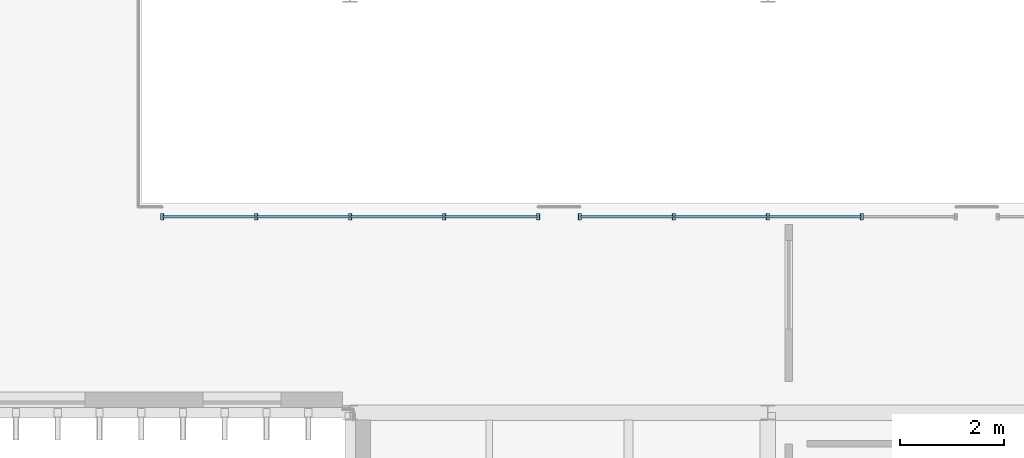
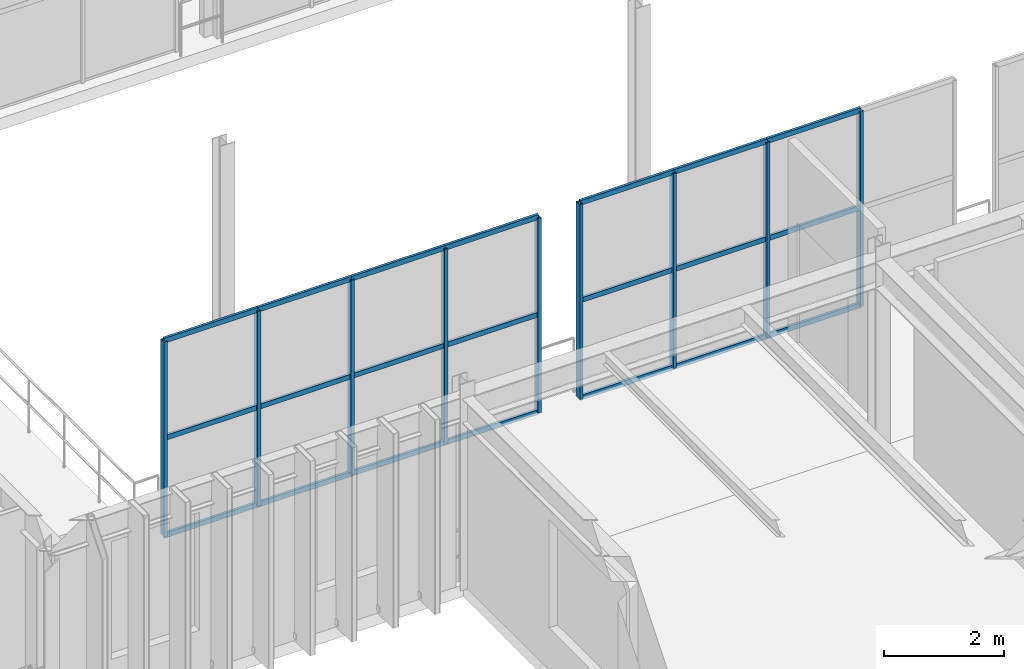
# One storey, part 42 of 122: 30 members, 2 elements without a shape of their own.
"""IFC4 building model written with IfcOpenShell, lengths in metres."""

import ifcopenshell
import ifcopenshell.guid

model = None  # the IFC model being written
_history = None  # IfcOwnerHistory: only IFC2X3 demands one
_inside = {}  # id of a spatial element -> (the spatial element, [elements in it])
_under = {}  # id of a project, library or spatial element -> (it, [spatial elements below it])
_declared = {}  # id of a project -> (the project, [libraries it declares])
_typed = {}  # id of a type object -> (the type object, [elements of that type])
_made_of = {}  # id of a material, layer set ... -> (it, [elements and type objects made of it])


def new_model(schema):
    """Start an empty IFC model of exactly this schema.

    Asked for "IFC4X3", IfcOpenShell would pick the latest addendum, in which some entities
    have other attributes; the version numbers below select the first issue.
    IFC2X3 requires an IfcOwnerHistory on every rooted entity: one is made here for all.
    """
    global model, _history
    if schema == "IFC4X3":
        model = ifcopenshell.file(schema_version=(4, 3, 0, 0))
    else:
        model = ifcopenshell.file(schema=schema)
    _inside.clear()
    _under.clear()
    _declared.clear()
    _typed.clear()
    _made_of.clear()
    _history = None
    if model.schema == "IFC2X3":
        org = make("IfcOrganization", Name="unknown")
        user = make(
            "IfcPersonAndOrganization",
            ThePerson=make("IfcPerson", FamilyName="unknown"),
            TheOrganization=org,
        )
        app = make(
            "IfcApplication",
            ApplicationDeveloper=org,
            Version="unknown",
            ApplicationFullName="unknown",
            ApplicationIdentifier="unknown",
        )
        _history = make(
            "IfcOwnerHistory",
            OwningUser=user,
            OwningApplication=app,
            ChangeAction="ADDED",
            CreationDate=0,
        )
    return model


def make(cls, **values):
    """One entity of the class cls with the attributes given. An attribute that is None is left unset."""
    return model.create_entity(
        cls, **{name: value for name, value in values.items() if value is not None}
    )


def rooted(cls, **values):
    """An entity with a GlobalId (a new one), such as an element, a storey or a relation."""
    return make(cls, GlobalId=ifcopenshell.guid.new(), OwnerHistory=_history, **values)


def si_unit(unit_type, name, prefix=None):
    """IfcSIUnit, for example si_unit("LENGTHUNIT", "METRE", prefix="MILLI")."""
    return make("IfcSIUnit", UnitType=unit_type, Prefix=prefix, Name=name)


def assignment(units):
    """IfcUnitAssignment: the units of a project."""
    return None if units is None else make("IfcUnitAssignment", Units=units)


def point(xyz):
    """IfcCartesianPoint."""
    return None if xyz is None else make("IfcCartesianPoint", Coordinates=xyz)


def direction(xyz):
    """IfcDirection."""
    return None if xyz is None else make("IfcDirection", DirectionRatios=xyz)


def frame(location, z_axis=None, x_axis=None):
    """IfcAxis2Placement3D, a coordinate frame: its origin and axes. An axis left out is left unset."""
    return make(
        "IfcAxis2Placement3D",
        Location=point(location),
        Axis=direction(z_axis),
        RefDirection=direction(x_axis),
    )


def frame_2d(location, x_axis=None):
    """IfcAxis2Placement2D, a coordinate frame in the plane: its origin and x axis."""
    return make(
        "IfcAxis2Placement2D", Location=point(location), RefDirection=direction(x_axis)
    )


def origin():
    """The frame at (0, 0, 0) with its axes left unset."""
    return frame((0.0, 0.0, 0.0))


def origin_2d():
    """The frame at (0, 0) in the plane with its x axis left unset."""
    return frame_2d((0.0, 0.0))


def place(relative_to, where):
    """IfcLocalPlacement: puts the frame where relative to a parent placement (None: the world)."""
    return make(
        "IfcLocalPlacement", PlacementRelTo=relative_to, RelativePlacement=where
    )


def context(
    kind, dimensions, precision=None, world=None, true_north=None, identifier=None
):
    """IfcGeometricRepresentationContext, for example the 3D "Model" context."""
    return make(
        "IfcGeometricRepresentationContext",
        ContextIdentifier=identifier,
        ContextType=kind,
        CoordinateSpaceDimension=dimensions,
        Precision=precision,
        WorldCoordinateSystem=world,
        TrueNorth=true_north,
    )


def subcontext(parent, identifier, kind, view, scale=None):
    """IfcGeometricRepresentationSubContext, for example "Body" below "Model"."""
    return make(
        "IfcGeometricRepresentationSubContext",
        ContextIdentifier=identifier,
        ContextType=kind,
        ParentContext=parent,
        TargetScale=scale,
        TargetView=view,
    )


def project(units=None, contexts=None):
    """IfcProject with its units and contexts."""
    return rooted(
        "IfcProject",
        Name="project",
        RepresentationContexts=contexts,
        UnitsInContext=assignment(units),
    )


def spatial(cls, under=None, at=None, **own):
    """A site, building, storey or space (cls), placed at a placement, below another one or the project."""
    s = rooted(cls, ObjectPlacement=at, **own)
    if under is not None:
        _under.setdefault(under.id(), (under, []))[1].append(s)
    return s


def profile(cls, at=None, kind="AREA", **sizes):
    """A parametric profile (cls). Its sizes go by their IFC names, for example OverallWidth=200.0."""
    return make(cls, ProfileType=kind, Position=at, **sizes)


def hollow_rectangle(**sizes):
    """IfcRectangleHollowProfileDef."""
    return profile("IfcRectangleHollowProfileDef", **sizes)


def extrude(swept, where, along, depth):
    """IfcExtrudedAreaSolid: the profile swept, set in the frame where, extruded along a direction by depth."""
    return make(
        "IfcExtrudedAreaSolid",
        SweptArea=swept,
        Position=where,
        ExtrudedDirection=direction(along),
        Depth=depth,
    )


def shape(context_of_items, identifier, shape_type, items):
    """IfcShapeRepresentation: the items that make up one representation, for example the "Body"."""
    return make(
        "IfcShapeRepresentation",
        ContextOfItems=context_of_items,
        RepresentationIdentifier=identifier,
        RepresentationType=shape_type,
        Items=items,
    )


def material(Name=None, Category=None):
    """IfcMaterial."""
    return make("IfcMaterial", Name=Name, Category=Category)


def material_profile(
    of_material, cross_section, Name=None, Category=None, Priority=None
):
    """IfcMaterialProfile: a cross section and its material."""
    return make(
        "IfcMaterialProfile",
        Name=Name,
        Material=of_material,
        Profile=cross_section,
        Priority=Priority,
        Category=Category,
    )


def profile_set(profiles, Name=None, composite=None):
    """IfcMaterialProfileSet."""
    return make(
        "IfcMaterialProfileSet",
        Name=Name,
        MaterialProfiles=profiles,
        CompositeProfile=composite,
    )


def made_of(thing, what):
    """Note that an element or type object is made of a material, layer set ...; save() writes the relation."""
    if what is not None:
        _made_of.setdefault(what.id(), (what, []))[1].append(thing)
    return thing


def type_object(cls, material=None, **own):
    """A type object (cls), such as IfcWallType, which elements share."""
    return made_of(rooted(cls, **own), material)


def element(
    cls,
    number,
    at=None,
    inside=None,
    cuts=None,
    type_object=None,
    material=None,
    context=None,
    identifier="Body",
    shape_type=None,
    held_by="IfcProductDefinitionShape",
    body=None,
    shapes=None,
    **own,
):
    """One element of the class cls, such as IfcWall. Its Tag is "e" and its number.

    at: its placement. inside: the storey or other place that contains it. cuts: it is an
    opening in that element (IfcRelVoidsElement). A single representation is given by context,
    identifier, shape_type and body (its items); several are given by shapes. held_by: the class
    of the entity that holds the representations. save() writes the other relations.
    """
    e = rooted(cls, Tag="e%d" % number, ObjectPlacement=at, **own)
    if body is not None:
        shapes = [shape(context, identifier, shape_type, body)]
    if shapes is not None:
        e.Representation = make(held_by, Representations=shapes)
    if inside is not None:
        _inside.setdefault(inside.id(), (inside, []))[1].append(e)
    if cuts is not None:
        rooted(
            "IfcRelVoidsElement", RelatingBuildingElement=cuts, RelatedOpeningElement=e
        )
    if type_object is not None:
        _typed.setdefault(type_object.id(), (type_object, []))[1].append(e)
    return made_of(e, material)


def aggregate(whole, parts):
    """IfcRelAggregates: a whole, such as a stair, and the parts it consists of."""
    return rooted("IfcRelAggregates", RelatingObject=whole, RelatedObjects=parts)


def save(model, path):
    """Write the relations noted so far, then the file.

    IfcRelAggregates (storeys below a building ...), IfcRelContainedInSpatialStructure (elements
    in a storey), IfcRelDefinesByType, IfcRelAssociatesMaterial and IfcRelDeclares: one each for
    every whole, place, type object, material and project.
    """
    for whole, parts in _under.values():
        aggregate(whole, parts)
    for where, things in _inside.values():
        rooted(
            "IfcRelContainedInSpatialStructure",
            RelatedElements=things,
            RelatingStructure=where,
        )
    for kind, things in _typed.values():
        rooted("IfcRelDefinesByType", RelatedObjects=things, RelatingType=kind)
    for what, things in _made_of.values():
        rooted("IfcRelAssociatesMaterial", RelatedObjects=things, RelatingMaterial=what)
    for by, libraries in _declared.values():
        rooted("IfcRelDeclares", RelatingContext=by, RelatedDefinitions=libraries)
    model.write(path)


model = new_model("IFC4")

# Units and contexts
model_context = context("Model", 3, precision=1e-05, world=origin(), true_north=direction((0.0, 1.0)))
body_context = subcontext(model_context, "Body", "Model", "MODEL_VIEW")
ifc_project = project(units=[si_unit("LENGTHUNIT", "METRE"), si_unit("AREAUNIT", "SQUARE_METRE"), si_unit("VOLUMEUNIT", "CUBIC_METRE"), si_unit("PLANEANGLEUNIT", "RADIAN"), si_unit("MASSUNIT", "GRAM", prefix="KILO")], contexts=[model_context])

# Site, building, storey
site_placement = place(None, origin())
site = spatial("IfcSite", under=ifc_project, at=site_placement, CompositionType="ELEMENT")
building_placement = place(site_placement, origin())
building = spatial("IfcBuilding", under=site, at=building_placement, Name="Sundkrona Museum", CompositionType="ELEMENT")
storey_placement = place(building_placement, frame((0.0, 0.0, 5.39990234375)))
storey = spatial("IfcBuildingStorey", under=building, at=storey_placement, Name="L01", CompositionType="ELEMENT", Elevation=5.39990234375)

# Curtain wall, members
ifc_material_1 = material(Name="Unitised Aluminium-Steel and Ceramic-Clad Curtain Walling", Category="steel")
curtain_wall_type = type_object("IfcCurtainWallType", Name="CW-CL-64x38", PredefinedType="NOTDEFINED", material=ifc_material_1)
curtain_wall_1_placement = place(storey_placement, origin())
curtain_wall_1 = element("IfcCurtainWall", 1, at=curtain_wall_1_placement, inside=storey, type_object=curtain_wall_type, Name="L01 Curtain Wall CW-L01-124", PredefinedType="NOTDEFINED")
ifc_material_2 = material(Name="Aluminium EN AW-6060 T66", Category="aluminium")
ifc_material_profile_1 = material_profile(ifc_material_2, hollow_rectangle(XDim=0.06005859375, YDim=0.1201171875, WallThickness=0.0048828125, at=origin_2d()), Name="RHS 120x60x5.0")
ifc_profile_set_1 = profile_set([ifc_material_profile_1], Name="Aluminium EN AW-6060 T66")
member_type_1 = type_object("IfcMemberType", Name="ML-120", PredefinedType="MULLION", material=ifc_profile_set_1)
member_1_placement = place(storey_placement, frame((20.39990234375, 81.75, -0.00390625), z_axis=(0.0, 0.0, 1.0), x_axis=(1.0, 0.0, 0.0)))
member_1 = element("IfcMember", 2, at=member_1_placement, type_object=member_type_1, Name="CW-L01-124 Mullion 01", PredefinedType="MULLION", context=body_context, shape_type="SweptSolid", body=[
    extrude(hollow_rectangle(XDim=0.06005859375, YDim=0.1201171875, WallThickness=0.0048828125, at=origin_2d()), origin(), (0.0, 0.0, 1.0), 3.968017578125),
])
member_2_placement = place(storey_placement, frame((22.199951171875, 81.75, -0.00390625), z_axis=(0.0, 0.0, 1.0), x_axis=(1.0, 0.0, 0.0)))
member_2 = element("IfcMember", 3, at=member_2_placement, type_object=member_type_1, Name="CW-L01-124 Mullion 02", PredefinedType="MULLION", context=body_context, shape_type="SweptSolid", body=[
    extrude(hollow_rectangle(XDim=0.06005859375, YDim=0.1201171875, WallThickness=0.0048828125, at=origin_2d()), origin(), (0.0, 0.0, 1.0), 3.968017578125),
])
member_3_placement = place(storey_placement, frame((24.0, 81.75, -0.00390625), z_axis=(0.0, 0.0, 1.0), x_axis=(1.0, 0.0, 0.0)))
member_3 = element("IfcMember", 4, at=member_3_placement, type_object=member_type_1, Name="CW-L01-124 Mullion 03", PredefinedType="MULLION", context=body_context, shape_type="SweptSolid", body=[
    extrude(hollow_rectangle(XDim=0.06005859375, YDim=0.1201171875, WallThickness=0.0048828125, at=origin_2d()), origin(), (0.0, 0.0, 1.0), 3.968017578125),
])
member_4_placement = place(storey_placement, frame((25.800048828125, 81.75, -0.00390625), z_axis=(0.0, 0.0, 1.0), x_axis=(1.0, 0.0, 0.0)))
member_4 = element("IfcMember", 5, at=member_4_placement, type_object=member_type_1, Name="CW-L01-124 Mullion 04", PredefinedType="MULLION", context=body_context, shape_type="SweptSolid", body=[
    extrude(hollow_rectangle(XDim=0.06005859375, YDim=0.1201171875, WallThickness=0.0048828125, at=origin_2d()), origin(), (0.0, 0.0, 1.0), 3.968017578125),
])
member_5_placement = place(storey_placement, frame((27.60009765625, 81.75, -0.00390625), z_axis=(0.0, 0.0, 1.0), x_axis=(1.0, 0.0, 0.0)))
member_5 = element("IfcMember", 6, at=member_5_placement, type_object=member_type_1, Name="CW-L01-124 Mullion 05", PredefinedType="MULLION", context=body_context, shape_type="SweptSolid", body=[
    extrude(hollow_rectangle(XDim=0.06005859375, YDim=0.1201171875, WallThickness=0.0048828125, at=origin_2d()), origin(), (0.0, 0.0, 1.0), 3.968017578125),
])

curtain_wall_2_placement = place(storey_placement, origin())
curtain_wall_2 = element("IfcCurtainWall", 7, at=curtain_wall_2_placement, inside=storey, type_object=curtain_wall_type, Name="L01 Curtain Wall CW-L01-126", PredefinedType="NOTDEFINED")
member_6_placement = place(storey_placement, frame((28.39990234375, 81.75, -0.00390625), z_axis=(0.0, 0.0, 1.0), x_axis=(1.0, 0.0, 0.0)))
member_6 = element("IfcMember", 8, at=member_6_placement, type_object=member_type_1, Name="CW-L01-126 Mullion 01", PredefinedType="MULLION", context=body_context, shape_type="SweptSolid", body=[
    extrude(hollow_rectangle(XDim=0.06005859375, YDim=0.1201171875, WallThickness=0.0048828125, at=origin_2d()), origin(), (0.0, 0.0, 1.0), 3.968017578125),
])
member_7_placement = place(storey_placement, frame((30.199951171875, 81.75, -0.00390625), z_axis=(0.0, 0.0, 1.0), x_axis=(1.0, 0.0, 0.0)))
member_7 = element("IfcMember", 9, at=member_7_placement, type_object=member_type_1, Name="CW-L01-126 Mullion 02", PredefinedType="MULLION", context=body_context, shape_type="SweptSolid", body=[
    extrude(hollow_rectangle(XDim=0.06005859375, YDim=0.1201171875, WallThickness=0.0048828125, at=origin_2d()), origin(), (0.0, 0.0, 1.0), 3.968017578125),
])
member_8_placement = place(storey_placement, frame((32.0, 81.75, -0.00390625), z_axis=(0.0, 0.0, 1.0), x_axis=(1.0, 0.0, 0.0)))
member_8 = element("IfcMember", 10, at=member_8_placement, type_object=member_type_1, Name="CW-L01-126 Mullion 03", PredefinedType="MULLION", context=body_context, shape_type="SweptSolid", body=[
    extrude(hollow_rectangle(XDim=0.06005859375, YDim=0.1201171875, WallThickness=0.0048828125, at=origin_2d()), origin(), (0.0, 0.0, 1.0), 3.968017578125),
])
member_9_placement = place(storey_placement, frame((33.800048828125, 81.75, -0.00390625), z_axis=(0.0, 0.0, 1.0), x_axis=(1.0, 0.0, 0.0)))
member_9 = element("IfcMember", 11, at=member_9_placement, type_object=member_type_1, Name="CW-L01-126 Mullion 04", PredefinedType="MULLION", context=body_context, shape_type="SweptSolid", body=[
    extrude(hollow_rectangle(XDim=0.06005859375, YDim=0.1201171875, WallThickness=0.0048828125, at=origin_2d()), origin(), (0.0, 0.0, 1.0), 3.968017578125),
])

# Member
ifc_material_profile_2 = material_profile(ifc_material_2, hollow_rectangle(XDim=0.050048828125, YDim=0.10009765625, WallThickness=0.0048828125, at=origin_2d()), Name="RHS 100x50x5.0")
ifc_profile_set_2 = profile_set([ifc_material_profile_2], Name="Aluminium EN AW-6060 T66")
member_type_2 = type_object("IfcMemberType", Name="TR-100", PredefinedType="USERDEFINED", material=ifc_profile_set_2)
member_10_placement = place(storey_placement, frame((20.39990234375, 81.75, -0.00390625), z_axis=(1.0, 0.0, 0.0), x_axis=(0.0, 1.0, 0.0)))
member_10 = element("IfcMember", 12, at=member_10_placement, type_object=member_type_2, Name="CW-L01-124 Transom 01", ObjectType="TRANSOM", PredefinedType="USERDEFINED", context=body_context, shape_type="SweptSolid", body=[
    extrude(hollow_rectangle(XDim=0.050048828125, YDim=0.10009765625, WallThickness=0.0048828125, at=origin_2d()), origin(), (0.0, 0.0, 1.0), 1.800048828125),
])

member_11_placement = place(storey_placement, frame((20.39990234375, 81.75, 1.97998046875), z_axis=(1.0, 0.0, 0.0), x_axis=(0.0, 1.0, 0.0)))
member_11 = element("IfcMember", 13, at=member_11_placement, type_object=member_type_2, Name="CW-L01-124 Transom 02", ObjectType="TRANSOM", PredefinedType="USERDEFINED", context=body_context, shape_type="SweptSolid", body=[
    extrude(hollow_rectangle(XDim=0.050048828125, YDim=0.10009765625, WallThickness=0.0048828125, at=origin_2d()), origin(), (0.0, 0.0, 1.0), 1.800048828125),
])

member_12_placement = place(storey_placement, frame((20.39990234375, 81.75, 3.964111328125), z_axis=(1.0, 0.0, 0.0), x_axis=(0.0, 1.0, 0.0)))
member_12 = element("IfcMember", 14, at=member_12_placement, type_object=member_type_2, Name="CW-L01-124 Transom 03", ObjectType="TRANSOM", PredefinedType="USERDEFINED", context=body_context, shape_type="SweptSolid", body=[
    extrude(hollow_rectangle(XDim=0.050048828125, YDim=0.10009765625, WallThickness=0.0048828125, at=origin_2d()), origin(), (0.0, 0.0, 1.0), 1.800048828125),
])

member_13_placement = place(storey_placement, frame((22.199951171875, 81.75, -0.00390625), z_axis=(1.0, 0.0, 0.0), x_axis=(0.0, 1.0, 0.0)))
member_13 = element("IfcMember", 15, at=member_13_placement, type_object=member_type_2, Name="CW-L01-124 Transom 04", ObjectType="TRANSOM", PredefinedType="USERDEFINED", context=body_context, shape_type="SweptSolid", body=[
    extrude(hollow_rectangle(XDim=0.050048828125, YDim=0.10009765625, WallThickness=0.0048828125, at=origin_2d()), origin(), (0.0, 0.0, 1.0), 1.800048828125),
])

member_14_placement = place(storey_placement, frame((22.199951171875, 81.75, 1.97998046875), z_axis=(1.0, 0.0, 0.0), x_axis=(0.0, 1.0, 0.0)))
member_14 = element("IfcMember", 16, at=member_14_placement, type_object=member_type_2, Name="CW-L01-124 Transom 05", ObjectType="TRANSOM", PredefinedType="USERDEFINED", context=body_context, shape_type="SweptSolid", body=[
    extrude(hollow_rectangle(XDim=0.050048828125, YDim=0.10009765625, WallThickness=0.0048828125, at=origin_2d()), origin(), (0.0, 0.0, 1.0), 1.800048828125),
])

member_15_placement = place(storey_placement, frame((22.199951171875, 81.75, 3.964111328125), z_axis=(1.0, 0.0, 0.0), x_axis=(0.0, 1.0, 0.0)))
member_15 = element("IfcMember", 17, at=member_15_placement, type_object=member_type_2, Name="CW-L01-124 Transom 06", ObjectType="TRANSOM", PredefinedType="USERDEFINED", context=body_context, shape_type="SweptSolid", body=[
    extrude(hollow_rectangle(XDim=0.050048828125, YDim=0.10009765625, WallThickness=0.0048828125, at=origin_2d()), origin(), (0.0, 0.0, 1.0), 1.800048828125),
])

member_16_placement = place(storey_placement, frame((24.0, 81.75, -0.00390625), z_axis=(1.0, 0.0, 0.0), x_axis=(0.0, 1.0, 0.0)))
member_16 = element("IfcMember", 18, at=member_16_placement, type_object=member_type_2, Name="CW-L01-124 Transom 07", ObjectType="TRANSOM", PredefinedType="USERDEFINED", context=body_context, shape_type="SweptSolid", body=[
    extrude(hollow_rectangle(XDim=0.050048828125, YDim=0.10009765625, WallThickness=0.0048828125, at=origin_2d()), origin(), (0.0, 0.0, 1.0), 1.800048828125),
])

member_17_placement = place(storey_placement, frame((24.0, 81.75, 1.97998046875), z_axis=(1.0, 0.0, 0.0), x_axis=(0.0, 1.0, 0.0)))
member_17 = element("IfcMember", 19, at=member_17_placement, type_object=member_type_2, Name="CW-L01-124 Transom 08", ObjectType="TRANSOM", PredefinedType="USERDEFINED", context=body_context, shape_type="SweptSolid", body=[
    extrude(hollow_rectangle(XDim=0.050048828125, YDim=0.10009765625, WallThickness=0.0048828125, at=origin_2d()), origin(), (0.0, 0.0, 1.0), 1.800048828125),
])

member_18_placement = place(storey_placement, frame((24.0, 81.75, 3.964111328125), z_axis=(1.0, 0.0, 0.0), x_axis=(0.0, 1.0, 0.0)))
member_18 = element("IfcMember", 20, at=member_18_placement, type_object=member_type_2, Name="CW-L01-124 Transom 09", ObjectType="TRANSOM", PredefinedType="USERDEFINED", context=body_context, shape_type="SweptSolid", body=[
    extrude(hollow_rectangle(XDim=0.050048828125, YDim=0.10009765625, WallThickness=0.0048828125, at=origin_2d()), origin(), (0.0, 0.0, 1.0), 1.800048828125),
])

member_19_placement = place(storey_placement, frame((25.800048828125, 81.75, -0.00390625), z_axis=(1.0, 0.0, 0.0), x_axis=(0.0, 1.0, 0.0)))
member_19 = element("IfcMember", 21, at=member_19_placement, type_object=member_type_2, Name="CW-L01-124 Transom 10", ObjectType="TRANSOM", PredefinedType="USERDEFINED", context=body_context, shape_type="SweptSolid", body=[
    extrude(hollow_rectangle(XDim=0.050048828125, YDim=0.10009765625, WallThickness=0.0048828125, at=origin_2d()), origin(), (0.0, 0.0, 1.0), 1.800048828125),
])

member_20_placement = place(storey_placement, frame((25.800048828125, 81.75, 1.97998046875), z_axis=(1.0, 0.0, 0.0), x_axis=(0.0, 1.0, 0.0)))
member_20 = element("IfcMember", 22, at=member_20_placement, type_object=member_type_2, Name="CW-L01-124 Transom 11", ObjectType="TRANSOM", PredefinedType="USERDEFINED", context=body_context, shape_type="SweptSolid", body=[
    extrude(hollow_rectangle(XDim=0.050048828125, YDim=0.10009765625, WallThickness=0.0048828125, at=origin_2d()), origin(), (0.0, 0.0, 1.0), 1.800048828125),
])

member_21_placement = place(storey_placement, frame((25.800048828125, 81.75, 3.964111328125), z_axis=(1.0, 0.0, 0.0), x_axis=(0.0, 1.0, 0.0)))
member_21 = element("IfcMember", 23, at=member_21_placement, type_object=member_type_2, Name="CW-L01-124 Transom 12", ObjectType="TRANSOM", PredefinedType="USERDEFINED", context=body_context, shape_type="SweptSolid", body=[
    extrude(hollow_rectangle(XDim=0.050048828125, YDim=0.10009765625, WallThickness=0.0048828125, at=origin_2d()), origin(), (0.0, 0.0, 1.0), 1.800048828125),
])

aggregate(curtain_wall_1, [member_1, member_2, member_3, member_4, member_5, member_10, member_11, member_12, member_13, member_14, member_15, member_16, member_17, member_18, member_19, member_20, member_21])

member_22_placement = place(storey_placement, frame((28.39990234375, 81.75, -0.00390625), z_axis=(1.0, 0.0, 0.0), x_axis=(0.0, 1.0, 0.0)))
member_22 = element("IfcMember", 24, at=member_22_placement, type_object=member_type_2, Name="CW-L01-126 Transom 01", ObjectType="TRANSOM", PredefinedType="USERDEFINED", context=body_context, shape_type="SweptSolid", body=[
    extrude(hollow_rectangle(XDim=0.050048828125, YDim=0.10009765625, WallThickness=0.0048828125, at=origin_2d()), origin(), (0.0, 0.0, 1.0), 1.800048828125),
])

member_23_placement = place(storey_placement, frame((28.39990234375, 81.75, 1.97998046875), z_axis=(1.0, 0.0, 0.0), x_axis=(0.0, 1.0, 0.0)))
member_23 = element("IfcMember", 25, at=member_23_placement, type_object=member_type_2, Name="CW-L01-126 Transom 02", ObjectType="TRANSOM", PredefinedType="USERDEFINED", context=body_context, shape_type="SweptSolid", body=[
    extrude(hollow_rectangle(XDim=0.050048828125, YDim=0.10009765625, WallThickness=0.0048828125, at=origin_2d()), origin(), (0.0, 0.0, 1.0), 1.800048828125),
])

member_24_placement = place(storey_placement, frame((28.39990234375, 81.75, 3.964111328125), z_axis=(1.0, 0.0, 0.0), x_axis=(0.0, 1.0, 0.0)))
member_24 = element("IfcMember", 26, at=member_24_placement, type_object=member_type_2, Name="CW-L01-126 Transom 03", ObjectType="TRANSOM", PredefinedType="USERDEFINED", context=body_context, shape_type="SweptSolid", body=[
    extrude(hollow_rectangle(XDim=0.050048828125, YDim=0.10009765625, WallThickness=0.0048828125, at=origin_2d()), origin(), (0.0, 0.0, 1.0), 1.800048828125),
])

member_25_placement = place(storey_placement, frame((30.199951171875, 81.75, -0.00390625), z_axis=(1.0, 0.0, 0.0), x_axis=(0.0, 1.0, 0.0)))
member_25 = element("IfcMember", 27, at=member_25_placement, type_object=member_type_2, Name="CW-L01-126 Transom 04", ObjectType="TRANSOM", PredefinedType="USERDEFINED", context=body_context, shape_type="SweptSolid", body=[
    extrude(hollow_rectangle(XDim=0.050048828125, YDim=0.10009765625, WallThickness=0.0048828125, at=origin_2d()), origin(), (0.0, 0.0, 1.0), 1.800048828125),
])

member_26_placement = place(storey_placement, frame((30.199951171875, 81.75, 1.97998046875), z_axis=(1.0, 0.0, 0.0), x_axis=(0.0, 1.0, 0.0)))
member_26 = element("IfcMember", 28, at=member_26_placement, type_object=member_type_2, Name="CW-L01-126 Transom 05", ObjectType="TRANSOM", PredefinedType="USERDEFINED", context=body_context, shape_type="SweptSolid", body=[
    extrude(hollow_rectangle(XDim=0.050048828125, YDim=0.10009765625, WallThickness=0.0048828125, at=origin_2d()), origin(), (0.0, 0.0, 1.0), 1.800048828125),
])

member_27_placement = place(storey_placement, frame((30.199951171875, 81.75, 3.964111328125), z_axis=(1.0, 0.0, 0.0), x_axis=(0.0, 1.0, 0.0)))
member_27 = element("IfcMember", 29, at=member_27_placement, type_object=member_type_2, Name="CW-L01-126 Transom 06", ObjectType="TRANSOM", PredefinedType="USERDEFINED", context=body_context, shape_type="SweptSolid", body=[
    extrude(hollow_rectangle(XDim=0.050048828125, YDim=0.10009765625, WallThickness=0.0048828125, at=origin_2d()), origin(), (0.0, 0.0, 1.0), 1.800048828125),
])

member_28_placement = place(storey_placement, frame((32.0, 81.75, -0.00390625), z_axis=(1.0, 0.0, 0.0), x_axis=(0.0, 1.0, 0.0)))
member_28 = element("IfcMember", 30, at=member_28_placement, type_object=member_type_2, Name="CW-L01-126 Transom 07", ObjectType="TRANSOM", PredefinedType="USERDEFINED", context=body_context, shape_type="SweptSolid", body=[
    extrude(hollow_rectangle(XDim=0.050048828125, YDim=0.10009765625, WallThickness=0.0048828125, at=origin_2d()), origin(), (0.0, 0.0, 1.0), 1.800048828125),
])

member_29_placement = place(storey_placement, frame((32.0, 81.75, 1.97998046875), z_axis=(1.0, 0.0, 0.0), x_axis=(0.0, 1.0, 0.0)))
member_29 = element("IfcMember", 31, at=member_29_placement, type_object=member_type_2, Name="CW-L01-126 Transom 08", ObjectType="TRANSOM", PredefinedType="USERDEFINED", context=body_context, shape_type="SweptSolid", body=[
    extrude(hollow_rectangle(XDim=0.050048828125, YDim=0.10009765625, WallThickness=0.0048828125, at=origin_2d()), origin(), (0.0, 0.0, 1.0), 1.800048828125),
])

member_30_placement = place(storey_placement, frame((32.0, 81.75, 3.964111328125), z_axis=(1.0, 0.0, 0.0), x_axis=(0.0, 1.0, 0.0)))
member_30 = element("IfcMember", 32, at=member_30_placement, type_object=member_type_2, Name="CW-L01-126 Transom 09", ObjectType="TRANSOM", PredefinedType="USERDEFINED", context=body_context, shape_type="SweptSolid", body=[
    extrude(hollow_rectangle(XDim=0.050048828125, YDim=0.10009765625, WallThickness=0.0048828125, at=origin_2d()), origin(), (0.0, 0.0, 1.0), 1.800048828125),
])

aggregate(curtain_wall_2, [member_6, member_7, member_8, member_9, member_22, member_23, member_24, member_25, member_26, member_27, member_28, member_29, member_30])

save(model, "model.ifc")
